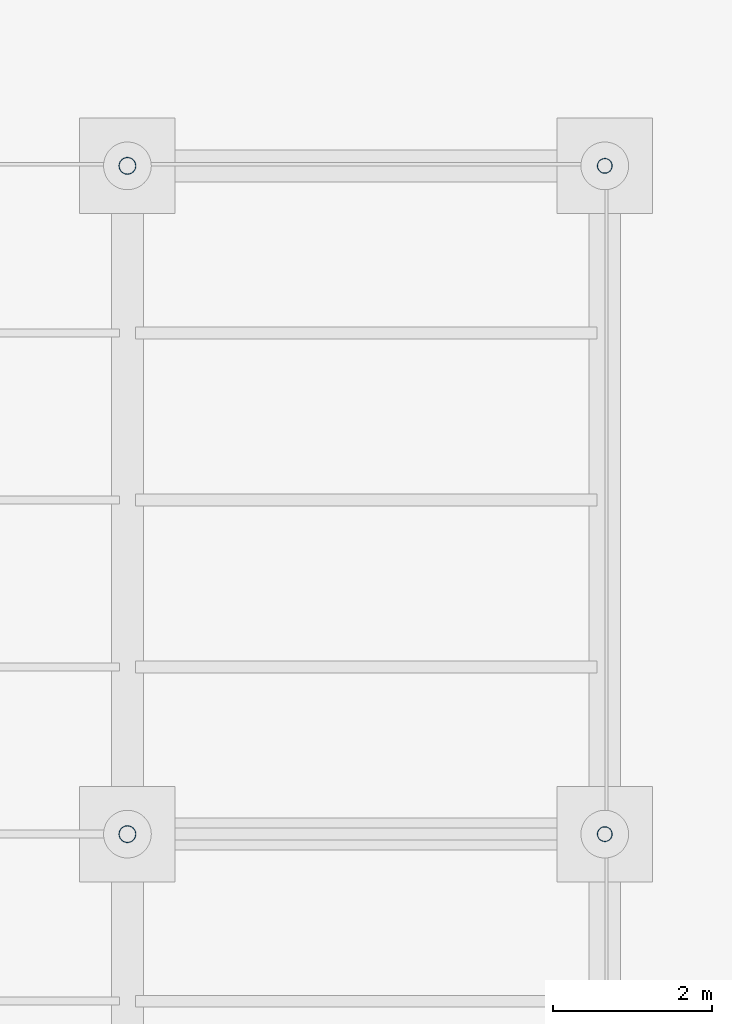
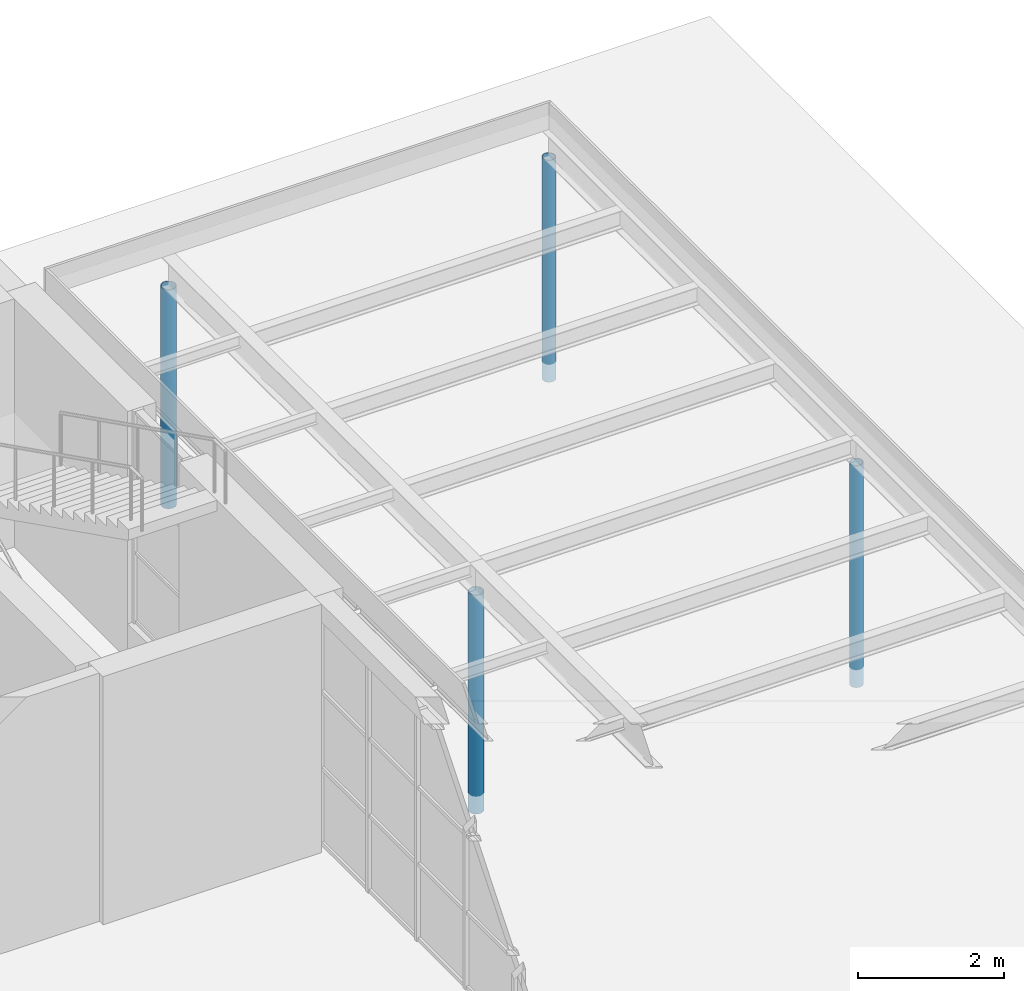
# One storey, part 28 of 138: 4 columns.
"""IFC4 building model written with IfcOpenShell, lengths in metres."""

from ifc_helpers import new_model, si_unit, direction, frame, origin, origin_2d, place, context, subcontext, project, spatial, hollow_circle, extrude, material, material_profile, profile_set, type_object, element, save


model = new_model("IFC4")

# Units and contexts
model_context = context("Model", 3, precision=1e-05, world=origin(), true_north=direction((0.0, 1.0)))
body_context = subcontext(model_context, "Body", "Model", "MODEL_VIEW")
ifc_project = project(units=[si_unit("LENGTHUNIT", "METRE"), si_unit("AREAUNIT", "SQUARE_METRE"), si_unit("VOLUMEUNIT", "CUBIC_METRE"), si_unit("PLANEANGLEUNIT", "RADIAN"), si_unit("MASSUNIT", "GRAM", prefix="KILO")], contexts=[model_context])

# Site, building, storey
site_placement = place(None, origin())
site = spatial("IfcSite", under=ifc_project, at=site_placement, CompositionType="ELEMENT")
building_placement = place(site_placement, origin())
building = spatial("IfcBuilding", under=site, at=building_placement, Name="Yavir Park General Hospital", CompositionType="ELEMENT")
storey_placement = place(building_placement, origin())
storey = spatial("IfcBuildingStorey", under=building, at=storey_placement, Name="L00", CompositionType="ELEMENT", Elevation=0.0)

# Columns
ifc_material_1 = material(Name="Steel S355", Category="steel")
ifc_material_profile_1 = material_profile(ifc_material_1, hollow_circle(Radius=0.096923828125, WallThickness=0.010009765625, at=origin_2d()), Name="CHS193.7x10")
ifc_profile_set_1 = profile_set([ifc_material_profile_1], Name="Steel S355")
column_type_1 = type_object("IfcColumnType", Name="CHS 193.7x10 outer column", PredefinedType="COLUMN", material=ifc_profile_set_1)
for number, where, z_axis, x_axis, name in (
    (1, (176.39990234375, 75.60009765625, -0.300048828125), (0.0, 0.0, 1.0), (1.0, 0.0, 0.0), "C:AMB:13"),
    (2, (176.39990234375, 84.0, -0.300048828125), (0.0, 0.0, 1.0), (1.0, 0.0, 0.0), "C:AMB:14"),
):
    element("IfcColumn", number, at=place(storey_placement, frame(where, z_axis=z_axis, x_axis=x_axis)), inside=storey, type_object=column_type_1, Name=name, PredefinedType="COLUMN", context=body_context, shape_type="SweptSolid", body=[
        extrude(hollow_circle(Radius=0.096923828125, WallThickness=0.010009765625, at=origin_2d()), origin(), (0.0, 0.0, 1.0), 3.699951171875),
    ])
ifc_material_2 = material(Name="Steel S355", Category="steel")
ifc_material_profile_2 = material_profile(ifc_material_2, hollow_circle(Radius=0.109619140625, WallThickness=0.010009765625, at=origin_2d()), Name="CHS219.1x10")
ifc_profile_set_2 = profile_set([ifc_material_profile_2], Name="Steel S355")
column_type_2 = type_object("IfcColumnType", Name="CHS 219.1x10 column", PredefinedType="COLUMN", material=ifc_profile_set_2)
for number, where, z_axis, x_axis, name in (
    (3, (170.39990234375, 75.60009765625, -0.300048828125), (0.0, 0.0, 1.0), (1.0, 0.0, 0.0), "C:AMB:03"),
    (4, (170.39990234375, 84.0, -0.300048828125), (0.0, 0.0, 1.0), (1.0, 0.0, 0.0), "C:AMB:04"),
):
    element("IfcColumn", number, at=place(storey_placement, frame(where, z_axis=z_axis, x_axis=x_axis)), inside=storey, type_object=column_type_2, Name=name, PredefinedType="COLUMN", context=body_context, shape_type="SweptSolid", body=[
        extrude(hollow_circle(Radius=0.109619140625, WallThickness=0.010009765625, at=origin_2d()), origin(), (0.0, 0.0, 1.0), 3.650146484375),
    ])

save(model, "model.ifc")
